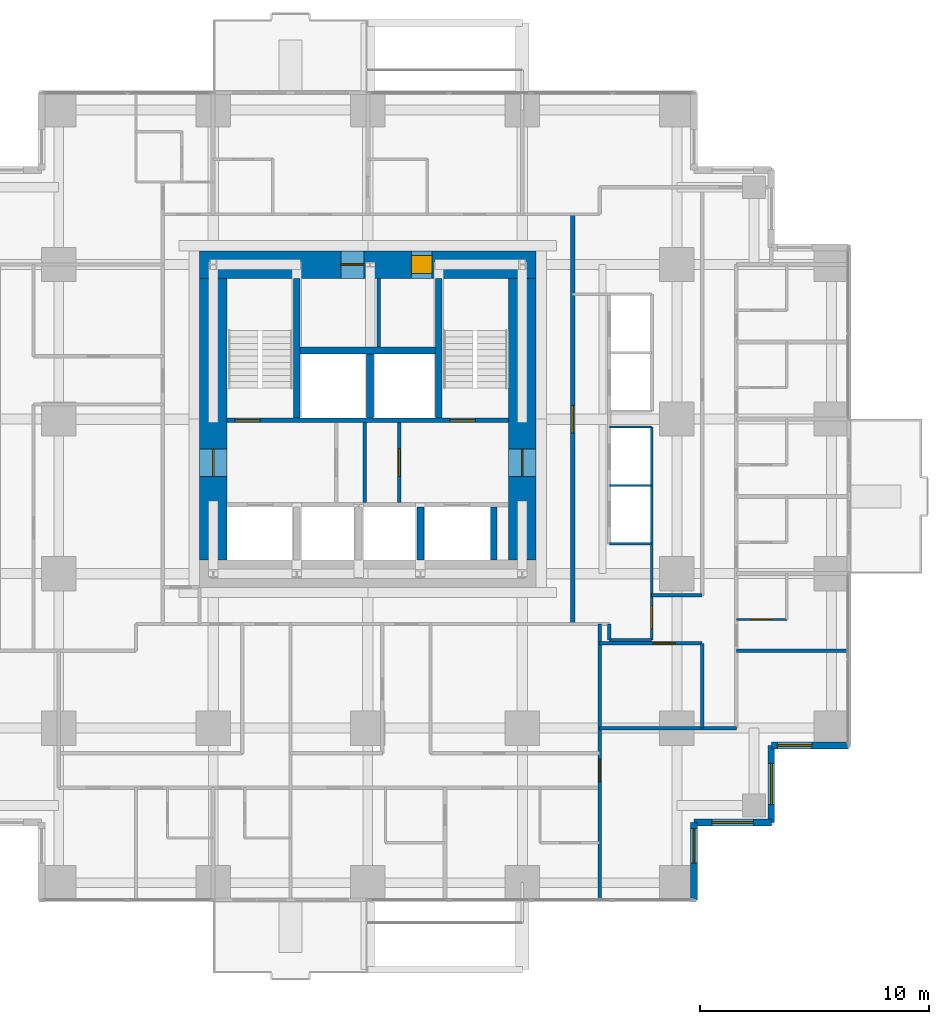
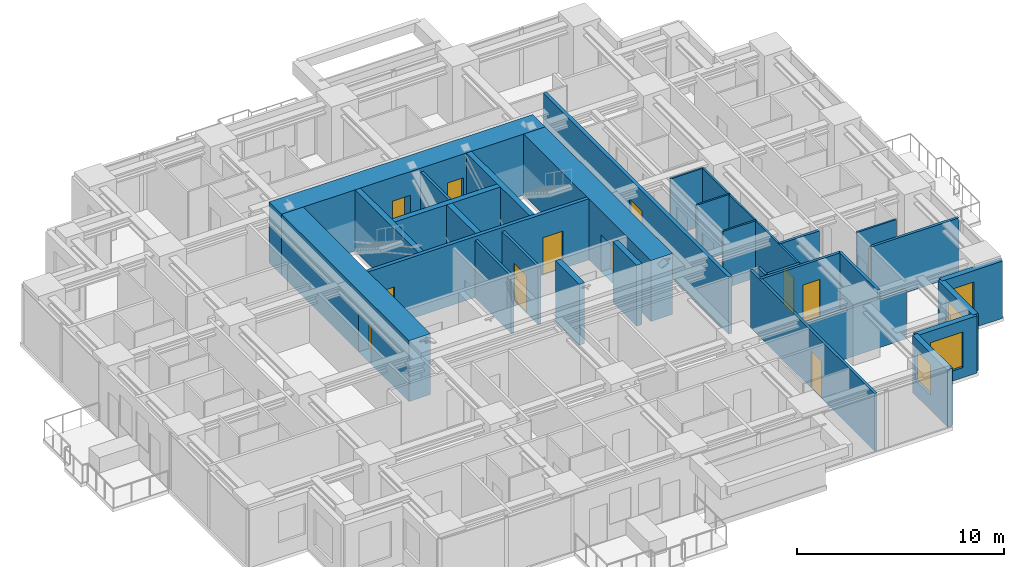
# One storey, part 9 of 13: 31 walls, 12 doors, 4 windows, 16 openings.
"""IFC4 building model written with IfcOpenShell, lengths in metres."""

import ifcopenshell
import ifcopenshell.guid

model = None  # the IFC model being written
_history = None  # IfcOwnerHistory: only IFC2X3 demands one
_inside = {}  # id of a spatial element -> (the spatial element, [elements in it])
_under = {}  # id of a project, library or spatial element -> (it, [spatial elements below it])
_declared = {}  # id of a project -> (the project, [libraries it declares])
_typed = {}  # id of a type object -> (the type object, [elements of that type])
_made_of = {}  # id of a material, layer set ... -> (it, [elements and type objects made of it])


def new_model(schema):
    """Start an empty IFC model of exactly this schema.

    Asked for "IFC4X3", IfcOpenShell would pick the latest addendum, in which some entities
    have other attributes; the version numbers below select the first issue.
    IFC2X3 requires an IfcOwnerHistory on every rooted entity: one is made here for all.
    """
    global model, _history
    if schema == "IFC4X3":
        model = ifcopenshell.file(schema_version=(4, 3, 0, 0))
    else:
        model = ifcopenshell.file(schema=schema)
    _inside.clear()
    _under.clear()
    _declared.clear()
    _typed.clear()
    _made_of.clear()
    _history = None
    if model.schema == "IFC2X3":
        org = make("IfcOrganization", Name="unknown")
        user = make(
            "IfcPersonAndOrganization",
            ThePerson=make("IfcPerson", FamilyName="unknown"),
            TheOrganization=org,
        )
        app = make(
            "IfcApplication",
            ApplicationDeveloper=org,
            Version="unknown",
            ApplicationFullName="unknown",
            ApplicationIdentifier="unknown",
        )
        _history = make(
            "IfcOwnerHistory",
            OwningUser=user,
            OwningApplication=app,
            ChangeAction="ADDED",
            CreationDate=0,
        )
    return model


def make(cls, **values):
    """One entity of the class cls with the attributes given. An attribute that is None is left unset."""
    return model.create_entity(
        cls, **{name: value for name, value in values.items() if value is not None}
    )


def rooted(cls, **values):
    """An entity with a GlobalId (a new one), such as an element, a storey or a relation."""
    return make(cls, GlobalId=ifcopenshell.guid.new(), OwnerHistory=_history, **values)


def si_unit(unit_type, name, prefix=None):
    """IfcSIUnit, for example si_unit("LENGTHUNIT", "METRE", prefix="MILLI")."""
    return make("IfcSIUnit", UnitType=unit_type, Prefix=prefix, Name=name)


def assignment(units):
    """IfcUnitAssignment: the units of a project."""
    return None if units is None else make("IfcUnitAssignment", Units=units)


def point(xyz):
    """IfcCartesianPoint."""
    return None if xyz is None else make("IfcCartesianPoint", Coordinates=xyz)


def direction(xyz):
    """IfcDirection."""
    return None if xyz is None else make("IfcDirection", DirectionRatios=xyz)


def frame(location, z_axis=None, x_axis=None):
    """IfcAxis2Placement3D, a coordinate frame: its origin and axes. An axis left out is left unset."""
    return make(
        "IfcAxis2Placement3D",
        Location=point(location),
        Axis=direction(z_axis),
        RefDirection=direction(x_axis),
    )


def frame_2d(location, x_axis=None):
    """IfcAxis2Placement2D, a coordinate frame in the plane: its origin and x axis."""
    return make(
        "IfcAxis2Placement2D", Location=point(location), RefDirection=direction(x_axis)
    )


def origin():
    """The frame at (0, 0, 0) with its axes left unset."""
    return frame((0.0, 0.0, 0.0))


def place(relative_to, where):
    """IfcLocalPlacement: puts the frame where relative to a parent placement (None: the world)."""
    return make(
        "IfcLocalPlacement", PlacementRelTo=relative_to, RelativePlacement=where
    )


def context(
    kind, dimensions, precision=None, world=None, true_north=None, identifier=None
):
    """IfcGeometricRepresentationContext, for example the 3D "Model" context."""
    return make(
        "IfcGeometricRepresentationContext",
        ContextIdentifier=identifier,
        ContextType=kind,
        CoordinateSpaceDimension=dimensions,
        Precision=precision,
        WorldCoordinateSystem=world,
        TrueNorth=true_north,
    )


def subcontext(parent, identifier, kind, view, scale=None):
    """IfcGeometricRepresentationSubContext, for example "Body" below "Model"."""
    return make(
        "IfcGeometricRepresentationSubContext",
        ContextIdentifier=identifier,
        ContextType=kind,
        ParentContext=parent,
        TargetScale=scale,
        TargetView=view,
    )


def project(units=None, contexts=None):
    """IfcProject with its units and contexts."""
    return rooted(
        "IfcProject",
        Name="project",
        RepresentationContexts=contexts,
        UnitsInContext=assignment(units),
    )


def spatial(cls, under=None, at=None, **own):
    """A site, building, storey or space (cls), placed at a placement, below another one or the project."""
    s = rooted(cls, ObjectPlacement=at, **own)
    if under is not None:
        _under.setdefault(under.id(), (under, []))[1].append(s)
    return s


def profile(cls, at=None, kind="AREA", **sizes):
    """A parametric profile (cls). Its sizes go by their IFC names, for example OverallWidth=200.0."""
    return make(cls, ProfileType=kind, Position=at, **sizes)


def rectangle(**sizes):
    """IfcRectangleProfileDef."""
    return profile("IfcRectangleProfileDef", **sizes)


def extrude(swept, where, along, depth):
    """IfcExtrudedAreaSolid: the profile swept, set in the frame where, extruded along a direction by depth."""
    return make(
        "IfcExtrudedAreaSolid",
        SweptArea=swept,
        Position=where,
        ExtrudedDirection=direction(along),
        Depth=depth,
    )


def shape(context_of_items, identifier, shape_type, items):
    """IfcShapeRepresentation: the items that make up one representation, for example the "Body"."""
    return make(
        "IfcShapeRepresentation",
        ContextOfItems=context_of_items,
        RepresentationIdentifier=identifier,
        RepresentationType=shape_type,
        Items=items,
    )


def material(Name=None, Category=None):
    """IfcMaterial."""
    return make("IfcMaterial", Name=Name, Category=Category)


def layer(
    of_material, thickness, ventilated=None, Name=None, Category=None, Priority=None
):
    """IfcMaterialLayer: one layer of a wall or slab, of a material (None: an air gap)."""
    return make(
        "IfcMaterialLayer",
        Material=of_material,
        LayerThickness=thickness,
        IsVentilated=ventilated,
        Name=Name,
        Category=Category,
        Priority=Priority,
    )


def layer_set(layers, Name=None):
    """IfcMaterialLayerSet."""
    return make("IfcMaterialLayerSet", MaterialLayers=layers, LayerSetName=Name)


def made_of(thing, what):
    """Note that an element or type object is made of a material, layer set ...; save() writes the relation."""
    if what is not None:
        _made_of.setdefault(what.id(), (what, []))[1].append(thing)
    return thing


def type_object(cls, material=None, **own):
    """A type object (cls), such as IfcWallType, which elements share."""
    return made_of(rooted(cls, **own), material)


def element(
    cls,
    number,
    at=None,
    inside=None,
    cuts=None,
    type_object=None,
    material=None,
    context=None,
    identifier="Body",
    shape_type=None,
    held_by="IfcProductDefinitionShape",
    body=None,
    shapes=None,
    **own,
):
    """One element of the class cls, such as IfcWall. Its Tag is "e" and its number.

    at: its placement. inside: the storey or other place that contains it. cuts: it is an
    opening in that element (IfcRelVoidsElement). A single representation is given by context,
    identifier, shape_type and body (its items); several are given by shapes. held_by: the class
    of the entity that holds the representations. save() writes the other relations.
    """
    e = rooted(cls, Tag="e%d" % number, ObjectPlacement=at, **own)
    if body is not None:
        shapes = [shape(context, identifier, shape_type, body)]
    if shapes is not None:
        e.Representation = make(held_by, Representations=shapes)
    if inside is not None:
        _inside.setdefault(inside.id(), (inside, []))[1].append(e)
    if cuts is not None:
        rooted(
            "IfcRelVoidsElement", RelatingBuildingElement=cuts, RelatedOpeningElement=e
        )
    if type_object is not None:
        _typed.setdefault(type_object.id(), (type_object, []))[1].append(e)
    return made_of(e, material)


def fill(opening, filler):
    """IfcRelFillsElement: the door or window that sits in an opening."""
    return rooted(
        "IfcRelFillsElement",
        RelatingOpeningElement=opening,
        RelatedBuildingElement=filler,
    )


def aggregate(whole, parts):
    """IfcRelAggregates: a whole, such as a stair, and the parts it consists of."""
    return rooted("IfcRelAggregates", RelatingObject=whole, RelatedObjects=parts)


def save(model, path):
    """Write the relations noted so far, then the file.

    IfcRelAggregates (storeys below a building ...), IfcRelContainedInSpatialStructure (elements
    in a storey), IfcRelDefinesByType, IfcRelAssociatesMaterial and IfcRelDeclares: one each for
    every whole, place, type object, material and project.
    """
    for whole, parts in _under.values():
        aggregate(whole, parts)
    for where, things in _inside.values():
        rooted(
            "IfcRelContainedInSpatialStructure",
            RelatedElements=things,
            RelatingStructure=where,
        )
    for kind, things in _typed.values():
        rooted("IfcRelDefinesByType", RelatedObjects=things, RelatingType=kind)
    for what, things in _made_of.values():
        rooted("IfcRelAssociatesMaterial", RelatedObjects=things, RelatingMaterial=what)
    for by, libraries in _declared.values():
        rooted("IfcRelDeclares", RelatingContext=by, RelatedDefinitions=libraries)
    model.write(path)


model = new_model("IFC4")

# Units and contexts
model_context = context("Model", 3, precision=1e-05, world=origin(), true_north=direction((0.0, 1.0)))
body_context = subcontext(model_context, "Body", "Model", "MODEL_VIEW")
ifc_project = project(units=[si_unit("LENGTHUNIT", "METRE"), si_unit("AREAUNIT", "SQUARE_METRE"), si_unit("VOLUMEUNIT", "CUBIC_METRE"), si_unit("PLANEANGLEUNIT", "RADIAN"), si_unit("MASSUNIT", "GRAM", prefix="KILO")], contexts=[model_context])

# Site, building, storey
site_placement = place(None, origin())
site = spatial("IfcSite", under=ifc_project, at=site_placement, CompositionType="ELEMENT")
building_placement = place(site_placement, origin())
building = spatial("IfcBuilding", under=site, at=building_placement, Name="Nyansa Garden Tower", CompositionType="ELEMENT")
storey_placement = place(building_placement, frame((0.0, 0.0, 130.5)))
storey = spatial("IfcBuildingStorey", under=building, at=storey_placement, Name="L35", CompositionType="ELEMENT", Elevation=130.5)

# Wall, openings, doors
ifc_material_1 = material(Name="Concrete C70/85", Category="concrete")
ifc_layer_1 = layer(ifc_material_1, 0.199951171875)
ifc_layer_set_1 = layer_set([ifc_layer_1], Name="Core inner wall CI200")
wall_type_1 = type_object("IfcWallType", Name="Core inner wall CI200", PredefinedType="SHEAR", material=ifc_layer_set_1)
wall_1_placement = place(storey_placement, frame((14.10009765625, 20.199951171875, 0.0), z_axis=(0.0, 0.0, 1.0), x_axis=(1.0, 0.0, 0.0)))
wall_1 = element("IfcWall", 1, at=wall_1_placement, inside=storey, type_object=wall_type_1, Name="Core inner wall L35", PredefinedType="SHEAR", context=body_context, shape_type="SweptSolid", body=[
    extrude(rectangle(XDim=12.2998046875, YDim=0.199951171875, at=frame_2d((6.14990234375, 0.0))), origin(), (0.0, 0.0, 1.0), 3.60009765625),
])
opening_1_placement = place(wall_1_placement, frame((0.35009765625, 0.0, 0.0)))
opening_1 = element("IfcOpeningElement", 2, at=opening_1_placement, cuts=wall_1, Name="Opening D05", PredefinedType="OPENING", context=body_context, shape_type="SweptSolid", body=[
    extrude(rectangle(XDim=1.10009765625, YDim=2.199951171875, at=frame_2d((0.550048828125, 1.10009765625))), frame((0.0, 0.10986328125, 0.0), z_axis=(0.0, -1.0, 0.0), x_axis=(1.0, 0.0, 0.0)), (0.0, 0.0, 1.0), 0.219970703125),
])
opening_2_placement = place(wall_1_placement, frame((9.75, 0.0, 0.0)))
opening_2 = element("IfcOpeningElement", 3, at=opening_2_placement, cuts=wall_1, Name="Opening D05", PredefinedType="OPENING", context=body_context, shape_type="SweptSolid", body=[
    extrude(rectangle(XDim=1.10009765625, YDim=2.199951171875, at=frame_2d((0.550048828125, 1.10009765625))), frame((0.0, 0.10986328125, 0.0), z_axis=(0.0, -1.0, 0.0), x_axis=(1.0, 0.0, 0.0)), (0.0, 0.0, 1.0), 0.219970703125),
])
ifc_material_2 = material(Name="Steel door, 120 minute fire resisting", Category="steel")
door_type_1 = type_object("IfcDoorType", Name="Stair door D05 1100x2200", OperationType="SINGLE_SWING_LEFT", PredefinedType="DOOR", material=ifc_material_2)
door_1_placement = place(opening_1_placement, origin())
door_1 = element("IfcDoor", 4, at=door_1_placement, inside=storey, type_object=door_type_1, Name="Stair S1 door", OperationType="SINGLE_SWING_LEFT", OverallHeight=2.199951171875, OverallWidth=1.10009765625, PredefinedType="DOOR", context=body_context, shape_type="SweptSolid", body=[
    extrude(rectangle(XDim=1.10009765625, YDim=2.199951171875, at=frame_2d((0.550048828125, 1.10009765625))), frame((0.0, 0.02490234375, 0.0), z_axis=(0.0, -1.0, 0.0), x_axis=(1.0, 0.0, 0.0)), (0.0, 0.0, 1.0), 0.050048828125),
])
fill(opening_1, door_1)
door_2_placement = place(opening_2_placement, origin())
door_2 = element("IfcDoor", 5, at=door_2_placement, inside=storey, type_object=door_type_1, Name="Stair S2 door", OperationType="SINGLE_SWING_LEFT", OverallHeight=2.199951171875, OverallWidth=1.10009765625, PredefinedType="DOOR", context=body_context, shape_type="SweptSolid", body=[
    extrude(rectangle(XDim=1.10009765625, YDim=2.199951171875, at=frame_2d((0.550048828125, 1.10009765625))), frame((0.0, 0.02490234375, 0.0), z_axis=(0.0, -1.0, 0.0), x_axis=(1.0, 0.0, 0.0)), (0.0, 0.0, 1.0), 0.050048828125),
])
fill(opening_2, door_2)

# Walls
ifc_material_3 = material(Name="Concrete C70/85", Category="concrete")
ifc_layer_2 = layer(ifc_material_3, 0.300048828125)
ifc_layer_set_2 = layer_set([ifc_layer_2], Name="Core inner wall CI300")
wall_type_2 = type_object("IfcWallType", Name="Core inner wall CI300", PredefinedType="SHEAR", material=ifc_layer_set_2)
for number, where, z_axis, x_axis, name in (
    (6, (17.14990234375, 20.300048828125, 0.0), (0.0, 0.0, 1.0), (0.0, 1.0, 0.0), "Core inner wall L35"),
    (7, (23.35009765625, 20.300048828125, 0.0), (0.0, 0.0, 1.0), (0.0, 1.0, 0.0), "Core inner wall L35"),
):
    element("IfcWall", number, at=place(storey_placement, frame(where, z_axis=z_axis, x_axis=x_axis)), inside=storey, type_object=wall_type_2, Name=name, PredefinedType="SHEAR", context=body_context, shape_type="SweptSolid", body=[
        extrude(rectangle(XDim=6.099853515625, YDim=0.300048828125, at=frame_2d((3.0498046875, 0.0))), origin(), (0.0, 0.0, 1.0), 3.60009765625),
    ])
wall_2_placement = place(storey_placement, frame((20.35009765625, 20.300048828125, 0.0), z_axis=(0.0, 0.0, 1.0), x_axis=(0.0, 1.0, 0.0)))
element("IfcWall", 8, at=wall_2_placement, inside=storey, type_object=wall_type_2, Name="Core inner wall L35", PredefinedType="SHEAR", context=body_context, shape_type="SweptSolid", body=[
    extrude(rectangle(XDim=2.800048828125, YDim=0.300048828125, at=frame_2d((1.39990234375, 0.0))), origin(), (0.0, 0.0, 1.0), 3.60009765625),
])
wall_3_placement = place(storey_placement, frame((17.300048828125, 23.25, 0.0), z_axis=(0.0, 0.0, 1.0), x_axis=(1.0, 0.0, 0.0)))
element("IfcWall", 9, at=wall_3_placement, inside=storey, type_object=wall_type_2, Name="Core inner wall L35", PredefinedType="SHEAR", context=body_context, shape_type="SweptSolid", body=[
    extrude(rectangle(XDim=5.89990234375, YDim=0.300048828125, at=frame_2d((2.949951171875, 0.0))), origin(), (0.0, 0.0, 1.0), 3.60009765625),
])
for number, where, z_axis, x_axis, name in (
    (10, (22.550048828125, 14.10009765625, 0.0), (0.0, 0.0, 1.0), (0.0, 1.0, 0.0), "Core inner wall L35"),
    (11, (25.75, 14.10009765625, 0.0), (0.0, 0.0, 1.0), (0.0, 1.0, 0.0), "Core inner wall L35"),
):
    element("IfcWall", number, at=place(storey_placement, frame(where, z_axis=z_axis, x_axis=x_axis)), inside=storey, type_object=wall_type_2, Name=name, PredefinedType="SHEAR", context=body_context, shape_type="SweptSolid", body=[
        extrude(rectangle(XDim=2.2998046875, YDim=0.300048828125, at=frame_2d((1.14990234375, 0.0))), origin(), (0.0, 0.0, 1.0), 3.60009765625),
    ])

# Wall, opening, door
ifc_material_4 = material(Name="Concrete C80/95", Category="concrete")
ifc_layer_3 = layer(ifc_material_4, 1.199951171875)
ifc_layer_set_3 = layer_set([ifc_layer_3], Name="Core wall CW1200")
wall_type_3 = type_object("IfcWallType", Name="Core wall CW1200", PredefinedType="SHEAR", material=ifc_layer_set_3)
wall_4_placement = place(storey_placement, frame((27.0, 14.10009765625, 0.0), z_axis=(0.0, 0.0, 1.0), x_axis=(0.0, 1.0, 0.0)))
wall_4 = element("IfcWall", 12, at=wall_4_placement, inside=storey, type_object=wall_type_3, Name="Core wall E L35", PredefinedType="SHEAR", context=body_context, shape_type="SweptSolid", body=[
    extrude(rectangle(XDim=12.2998046875, YDim=1.199951171875, at=frame_2d((6.14990234375, 0.0))), origin(), (0.0, 0.0, 1.0), 3.60009765625),
])
opening_3_placement = place(wall_4_placement, frame((3.64990234375, 0.0, 0.0)))
opening_3 = element("IfcOpeningElement", 13, at=opening_3_placement, cuts=wall_4, Name="Opening D06", PredefinedType="OPENING", context=body_context, shape_type="SweptSolid", body=[
    extrude(rectangle(XDim=1.199951171875, YDim=2.199951171875, at=frame_2d((0.60009765625, 1.10009765625))), frame((0.0, 0.60986328125, 0.0), z_axis=(0.0, -1.0, 0.0), x_axis=(1.0, 0.0, 0.0)), (0.0, 0.0, 1.0), 1.219970703125),
])
ifc_material_5 = material(Name="Steel door, 120 minute fire resisting", Category="steel")
door_type_2 = type_object("IfcDoorType", Name="Lobby door D06 1200x2200", OperationType="DOUBLE_DOOR_SINGLE_SWING", PredefinedType="DOOR", material=ifc_material_5)
door_3_placement = place(opening_3_placement, origin())
door_3 = element("IfcDoor", 14, at=door_3_placement, inside=storey, type_object=door_type_2, Name="Lift lobby door east", OperationType="DOUBLE_DOOR_SINGLE_SWING", OverallHeight=2.199951171875, OverallWidth=1.199951171875, PredefinedType="DOOR", context=body_context, shape_type="SweptSolid", body=[
    extrude(rectangle(XDim=1.199951171875, YDim=2.199951171875, at=frame_2d((0.60009765625, 1.10009765625))), frame((0.0, 0.02490234375, 0.0), z_axis=(0.0, -1.0, 0.0), x_axis=(1.0, 0.0, 0.0)), (0.0, 0.0, 1.0), 0.050048828125),
])
fill(opening_3, door_3)

# Wall, openings, doors
wall_5_placement = place(storey_placement, frame((27.60009765625, 27.0, 0.0), z_axis=(0.0, 0.0, 1.0), x_axis=(-1.0, 0.0, 0.0)))
wall_5 = element("IfcWall", 15, at=wall_5_placement, inside=storey, type_object=wall_type_3, Name="Core wall N L35", PredefinedType="SHEAR", context=body_context, shape_type="SweptSolid", body=[
    extrude(rectangle(XDim=14.7001953125, YDim=1.199951171875, at=frame_2d((7.35009765625, 0.0))), origin(), (0.0, 0.0, 1.0), 3.60009765625),
])
opening_4_placement = place(wall_5_placement, frame((4.550048828125, 0.0, 0.0)))
opening_4 = element("IfcOpeningElement", 16, at=opening_4_placement, cuts=wall_5, Name="Opening D15", PredefinedType="OPENING", context=body_context, shape_type="SweptSolid", body=[
    extrude(rectangle(XDim=0.89990234375, YDim=2.199951171875, at=frame_2d((0.449951171875, 1.10009765625))), frame((0.0, 0.60986328125, 0.0), z_axis=(0.0, -1.0, 0.0), x_axis=(1.0, 0.0, 0.0)), (0.0, 0.0, 1.0), 1.219970703125),
])
opening_5_placement = place(wall_5_placement, frame((7.52490234375, 0.0, 0.0)))
opening_5 = element("IfcOpeningElement", 17, at=opening_5_placement, cuts=wall_5, Name="Opening D07", PredefinedType="OPENING", context=body_context, shape_type="SweptSolid", body=[
    extrude(rectangle(XDim=1.0, YDim=2.199951171875, at=frame_2d((0.5, 1.10009765625))), frame((0.0, 0.60986328125, 0.0), z_axis=(0.0, -1.0, 0.0), x_axis=(1.0, 0.0, 0.0)), (0.0, 0.0, 1.0), 1.219970703125),
])
ifc_material_6 = material(Name="Timber flush door, 60 minute fire resisting, self-closing", Category="wood")
door_type_3 = type_object("IfcDoorType", Name="Core room door D15 900x2200", OperationType="SINGLE_SWING_LEFT", PredefinedType="DOOR", material=ifc_material_6)
door_4_placement = place(opening_4_placement, origin())
door_4 = element("IfcDoor", 18, at=door_4_placement, inside=storey, type_object=door_type_3, Name="Core room door", OperationType="SINGLE_SWING_LEFT", OverallHeight=2.199951171875, OverallWidth=0.89990234375, PredefinedType="DOOR", context=body_context, shape_type="SweptSolid", body=[
    extrude(rectangle(XDim=0.89990234375, YDim=2.199951171875, at=frame_2d((0.449951171875, 1.10009765625))), frame((0.0, 0.39990234375, 0.0), z_axis=(0.0, -1.0, 0.0), x_axis=(1.0, 0.0, 0.0)), (0.0, 0.0, 1.0), 0.800048828125),
])
fill(opening_4, door_4)
ifc_material_7 = material(Name="Steel door, 120 minute fire resisting", Category="steel")
door_type_4 = type_object("IfcDoorType", Name="Riser door D07 1000x2200", OperationType="SINGLE_SWING_LEFT", PredefinedType="DOOR", material=ifc_material_7)
door_5_placement = place(opening_5_placement, origin())
door_5 = element("IfcDoor", 19, at=door_5_placement, inside=storey, type_object=door_type_4, Name="Riser and refuse room door", OperationType="SINGLE_SWING_LEFT", OverallHeight=2.199951171875, OverallWidth=1.0, PredefinedType="DOOR", context=body_context, shape_type="SweptSolid", body=[
    extrude(rectangle(XDim=1.0, YDim=2.199951171875, at=frame_2d((0.5, 1.10009765625))), frame((0.0, 0.02490234375, 0.0), z_axis=(0.0, -1.0, 0.0), x_axis=(1.0, 0.0, 0.0)), (0.0, 0.0, 1.0), 0.050048828125),
])
fill(opening_5, door_5)

# Wall, opening, door
wall_6_placement = place(storey_placement, frame((13.5, 26.39990234375, 0.0), z_axis=(0.0, 0.0, 1.0), x_axis=(0.0, -1.0, 0.0)))
wall_6 = element("IfcWall", 20, at=wall_6_placement, inside=storey, type_object=wall_type_3, Name="Core wall W L35", PredefinedType="SHEAR", context=body_context, shape_type="SweptSolid", body=[
    extrude(rectangle(XDim=12.2998046875, YDim=1.199951171875, at=frame_2d((6.14990234375, 0.0))), origin(), (0.0, 0.0, 1.0), 3.60009765625),
])
opening_6_placement = place(wall_6_placement, frame((7.449951171875, 0.0, 0.0)))
opening_6 = element("IfcOpeningElement", 21, at=opening_6_placement, cuts=wall_6, Name="Opening D06", PredefinedType="OPENING", context=body_context, shape_type="SweptSolid", body=[
    extrude(rectangle(XDim=1.199951171875, YDim=2.199951171875, at=frame_2d((0.60009765625, 1.10009765625))), frame((0.0, 0.60986328125, 0.0), z_axis=(0.0, -1.0, 0.0), x_axis=(1.0, 0.0, 0.0)), (0.0, 0.0, 1.0), 1.219970703125),
])
door_6_placement = place(opening_6_placement, origin())
door_6 = element("IfcDoor", 22, at=door_6_placement, inside=storey, type_object=door_type_2, Name="Lift lobby door west", OperationType="DOUBLE_DOOR_SINGLE_SWING", OverallHeight=2.199951171875, OverallWidth=1.199951171875, PredefinedType="DOOR", context=body_context, shape_type="SweptSolid", body=[
    extrude(rectangle(XDim=1.199951171875, YDim=2.199951171875, at=frame_2d((0.60009765625, 1.10009765625))), frame((0.0, 0.02490234375, 0.0), z_axis=(0.0, -1.0, 0.0), x_axis=(1.0, 0.0, 0.0)), (0.0, 0.0, 1.0), 0.050048828125),
])
fill(opening_6, door_6)

ifc_material_8 = material(Name="Concrete blockwork, plastered, 60 minute fire resisting", Category="masonry")
ifc_layer_4 = layer(ifc_material_8, 0.199951171875)
ifc_layer_set_4 = layer_set([ifc_layer_4], Name="Corridor wall FW200")
wall_type_4 = type_object("IfcWallType", Name="Corridor wall FW200", PredefinedType="PARTITIONING", material=ifc_layer_set_4)
wall_7_placement = place(storey_placement, frame((29.199951171875, 11.300048828125, 0.0), z_axis=(0.0, 0.0, 1.0), x_axis=(0.0, 1.0, 0.0)))
wall_7 = element("IfcWall", 23, at=wall_7_placement, inside=storey, type_object=wall_type_4, Name="Corridor wall", PredefinedType="PARTITIONING", context=body_context, shape_type="SweptSolid", body=[
    extrude(rectangle(XDim=17.89990234375, YDim=0.199951171875, at=frame_2d((8.949951171875, 0.0))), origin(), (0.0, 0.0, 1.0), 3.375),
])
opening_7_placement = place(wall_7_placement, frame((8.35009765625, 0.0, 0.0)))
opening_7 = element("IfcOpeningElement", 24, at=opening_7_placement, cuts=wall_7, Name="Opening D06", PredefinedType="OPENING", context=body_context, shape_type="SweptSolid", body=[
    extrude(rectangle(XDim=1.199951171875, YDim=2.199951171875, at=frame_2d((0.60009765625, 1.10009765625))), frame((0.0, 0.10986328125, 0.0), z_axis=(0.0, -1.0, 0.0), x_axis=(1.0, 0.0, 0.0)), (0.0, 0.0, 1.0), 0.219970703125),
])
door_7_placement = place(opening_7_placement, origin())
door_7 = element("IfcDoor", 25, at=door_7_placement, inside=storey, type_object=door_type_2, Name="Low-rise lift lobby door", OperationType="DOUBLE_DOOR_SINGLE_SWING", OverallHeight=2.199951171875, OverallWidth=1.199951171875, PredefinedType="DOOR", context=body_context, shape_type="SweptSolid", body=[
    extrude(rectangle(XDim=1.199951171875, YDim=2.199951171875, at=frame_2d((0.60009765625, 1.10009765625))), frame((0.0, 0.02490234375, 0.0), z_axis=(0.0, -1.0, 0.0), x_axis=(1.0, 0.0, 0.0)), (0.0, 0.0, 1.0), 0.050048828125),
])
fill(opening_7, door_7)

# Walls
ifc_material_9 = material(Name="Steel-stud shaft wall, two layers fire-rated board, EI 120", Category="steel")
ifc_layer_5 = layer(ifc_material_9, 0.10009765625)
ifc_layer_set_5 = layer_set([ifc_layer_5], Name="Lift shaft wall SW100")
wall_type_5 = type_object("IfcWallType", Name="Lift shaft wall SW100", PredefinedType="SHEAR", material=ifc_layer_set_5)
for number, where, z_axis, x_axis, name in (
    (26, (30.800048828125, 14.800048828125, 0.0), (0.0, 0.0, 1.0), (1.0, 0.0, 0.0), "Lift shaft wall"),
    (27, (30.800048828125, 17.35009765625, 0.0), (0.0, 0.0, 1.0), (1.0, 0.0, 0.0), "Lift shaft wall"),
    (28, (30.800048828125, 19.89990234375, 0.0), (0.0, 0.0, 1.0), (1.0, 0.0, 0.0), "Lift shaft wall"),
):
    element("IfcWall", number, at=place(storey_placement, frame(where, z_axis=z_axis, x_axis=x_axis)), inside=storey, type_object=wall_type_5, Name=name, PredefinedType="SHEAR", context=body_context, shape_type="SweptSolid", body=[
        extrude(rectangle(XDim=1.849853515625, YDim=0.10009765625, at=frame_2d((0.9248046875, 0.0))), origin(), (0.0, 0.0, 1.0), 3.375),
    ])

# Wall, opening, door
wall_8_placement = place(storey_placement, frame((32.64990234375, 10.60009765625, 0.0), z_axis=(0.0, 0.0, 1.0), x_axis=(0.0, 1.0, 0.0)))
wall_8 = element("IfcWall", 29, at=wall_8_placement, inside=storey, type_object=wall_type_5, Name="Lift shaft wall", PredefinedType="SHEAR", context=body_context, shape_type="SweptSolid", body=[
    extrude(rectangle(XDim=9.2998046875, YDim=0.10009765625, at=frame_2d((4.64990234375, 0.0))), origin(), (0.0, 0.0, 1.0), 3.375),
])
opening_8_placement = place(wall_8_placement, frame((0.5, 0.0, 0.0)))
opening_8 = element("IfcOpeningElement", 30, at=opening_8_placement, cuts=wall_8, Name="Opening D03", PredefinedType="OPENING", context=body_context, shape_type="SweptSolid", body=[
    extrude(rectangle(XDim=1.0, YDim=2.199951171875, at=frame_2d((0.5, 1.10009765625))), frame((0.0, 0.06005859375, 0.0), z_axis=(0.0, -1.0, 0.0), x_axis=(1.0, 0.0, 0.0)), (0.0, 0.0, 1.0), 0.1201171875),
])
ifc_material_10 = material(Name="Timber flush door, 60 minute fire resisting", Category="wood")
door_type_5 = type_object("IfcDoorType", Name="Cluster entrance door D03 1000x2200", OperationType="SINGLE_SWING_LEFT", PredefinedType="DOOR", material=ifc_material_10)
door_8_placement = place(opening_8_placement, origin())
door_8 = element("IfcDoor", 31, at=door_8_placement, inside=storey, type_object=door_type_5, Name="Door L35-043", OperationType="SINGLE_SWING_LEFT", OverallHeight=2.199951171875, OverallWidth=1.0, PredefinedType="DOOR", context=body_context, shape_type="SweptSolid", body=[
    extrude(rectangle(XDim=1.0, YDim=2.199951171875, at=frame_2d((0.5, 1.10009765625))), frame((0.0, 0.02490234375, 0.0), z_axis=(0.0, -1.0, 0.0), x_axis=(1.0, 0.0, 0.0)), (0.0, 0.0, 1.0), 0.050048828125),
])
fill(opening_8, door_8)

ifc_material_11 = material(Name="Blockwork, plastered both sides", Category="masonry")
ifc_layer_6 = layer(ifc_material_11, 0.14990234375)
ifc_layer_set_6 = layer_set([ifc_layer_6], Name="Partition PW150")
wall_type_6 = type_object("IfcWallType", Name="Partition PW150", PredefinedType="PARTITIONING", material=ifc_layer_set_6)
wall_9_placement = place(storey_placement, frame((21.625, 16.60009765625, 0.0), z_axis=(0.0, 0.0, 1.0), x_axis=(0.0, 1.0, 0.0)))
wall_9 = element("IfcWall", 32, at=wall_9_placement, inside=storey, type_object=wall_type_6, Name="Partition", PredefinedType="PARTITIONING", context=body_context, shape_type="SweptSolid", body=[
    extrude(rectangle(XDim=3.5, YDim=0.14990234375, at=frame_2d((1.75, 0.0))), origin(), (0.0, 0.0, 1.0), 3.375),
])
opening_9_placement = place(wall_9_placement, frame((1.14990234375, 0.0, 0.0)))
opening_9 = element("IfcOpeningElement", 33, at=opening_9_placement, cuts=wall_9, Name="Opening D06", PredefinedType="OPENING", context=body_context, shape_type="SweptSolid", body=[
    extrude(rectangle(XDim=1.199951171875, YDim=2.199951171875, at=frame_2d((0.60009765625, 1.10009765625))), frame((0.0, 0.0849609375, 0.0), z_axis=(0.0, -1.0, 0.0), x_axis=(1.0, 0.0, 0.0)), (0.0, 0.0, 1.0), 0.169921875),
])
door_9_placement = place(opening_9_placement, origin())
door_9 = element("IfcDoor", 34, at=door_9_placement, inside=storey, type_object=door_type_2, Name="Passenger lift lobby door", OperationType="DOUBLE_DOOR_SINGLE_SWING", OverallHeight=2.199951171875, OverallWidth=1.199951171875, PredefinedType="DOOR", context=body_context, shape_type="SweptSolid", body=[
    extrude(rectangle(XDim=1.199951171875, YDim=2.199951171875, at=frame_2d((0.60009765625, 1.10009765625))), frame((0.0, 0.02490234375, 0.0), z_axis=(0.0, -1.0, 0.0), x_axis=(1.0, 0.0, 0.0)), (0.0, 0.0, 1.0), 0.050048828125),
])
fill(opening_9, door_9)

# Walls
wall_10_placement = place(storey_placement, frame((20.1201171875, 16.60009765625, 0.0), z_axis=(0.0, 0.0, 1.0), x_axis=(0.0, 1.0, 0.0)))
element("IfcWall", 35, at=wall_10_placement, inside=storey, type_object=wall_type_6, Name="Partition", PredefinedType="PARTITIONING", context=body_context, shape_type="SweptSolid", body=[
    extrude(rectangle(XDim=3.5, YDim=0.14990234375, at=frame_2d((1.75, 0.0))), origin(), (0.0, 0.0, 1.0), 3.375),
])
wall_11_placement = place(storey_placement, frame((20.72509765625, 23.39990234375, 0.0), z_axis=(0.0, 0.0, 1.0), x_axis=(0.0, 1.0, 0.0)))
element("IfcWall", 36, at=wall_11_placement, inside=storey, type_object=wall_type_6, Name="Partition", PredefinedType="PARTITIONING", context=body_context, shape_type="SweptSolid", body=[
    extrude(rectangle(XDim=3.0, YDim=0.14990234375, at=frame_2d((1.5, 0.0))), origin(), (0.0, 0.0, 1.0), 3.375),
])

# Wall, opening, door
wall_12_placement = place(storey_placement, frame((30.375, -0.73388671875, 0.0), z_axis=(0.0, 0.0, 1.0), x_axis=(0.0, 1.0, 0.0)))
wall_12 = element("IfcWall", 37, at=wall_12_placement, inside=storey, type_object=wall_type_6, Name="Partition", PredefinedType="PARTITIONING", context=body_context, shape_type="SweptSolid", body=[
    extrude(rectangle(XDim=12.033935546875, YDim=0.14990234375, at=frame_2d((6.01708984375, 0.0))), origin(), (0.0, 0.0, 1.0), 3.375),
])
opening_10_placement = place(wall_12_placement, frame((5.134033203125, 0.0, 0.0)))
opening_10 = element("IfcOpeningElement", 38, at=opening_10_placement, cuts=wall_12, Name="Opening D03", PredefinedType="OPENING", context=body_context, shape_type="SweptSolid", body=[
    extrude(rectangle(XDim=1.0, YDim=2.199951171875, at=frame_2d((0.5, 1.10009765625))), frame((0.0, 0.0849609375, 0.0), z_axis=(0.0, -1.0, 0.0), x_axis=(1.0, 0.0, 0.0)), (0.0, 0.0, 1.0), 0.169921875),
])
door_10_placement = place(opening_10_placement, origin())
door_10 = element("IfcDoor", 39, at=door_10_placement, inside=storey, type_object=door_type_5, Name="Door L35-032", OperationType="SINGLE_SWING_LEFT", OverallHeight=2.199951171875, OverallWidth=1.0, PredefinedType="DOOR", context=body_context, shape_type="SweptSolid", body=[
    extrude(rectangle(XDim=1.0, YDim=2.199951171875, at=frame_2d((0.5, 1.10009765625))), frame((0.0, 0.02490234375, 0.0), z_axis=(0.0, -1.0, 0.0), x_axis=(1.0, 0.0, 0.0)), (0.0, 0.0, 1.0), 0.050048828125),
])
fill(opening_10, door_10)

# Wall
wall_13_placement = place(storey_placement, frame((30.375, 6.75, 0.0), z_axis=(0.0, 0.0, 1.0), x_axis=(1.0, 0.0, 0.0)))
element("IfcWall", 40, at=wall_13_placement, inside=storey, type_object=wall_type_6, Name="Partition", PredefinedType="PARTITIONING", context=body_context, shape_type="SweptSolid", body=[
    extrude(rectangle(XDim=5.97509765625, YDim=0.14990234375, at=frame_2d((2.987548828125, 0.0))), origin(), (0.0, 0.0, 1.0), 2.876953125),
])

# Wall, opening, door
wall_14_placement = place(storey_placement, frame((30.375, 10.449951171875, 0.0), z_axis=(0.0, 0.0, 1.0), x_axis=(1.0, 0.0, 0.0)))
wall_14 = element("IfcWall", 41, at=wall_14_placement, inside=storey, type_object=wall_type_6, Name="Partition", PredefinedType="PARTITIONING", context=body_context, shape_type="SweptSolid", body=[
    extrude(rectangle(XDim=4.47509765625, YDim=0.14990234375, at=frame_2d((2.237548828125, 0.0))), origin(), (0.0, 0.0, 1.0), 3.375),
])
opening_11_placement = place(wall_14_placement, frame((2.35009765625, 0.0, 0.0)))
opening_11 = element("IfcOpeningElement", 42, at=opening_11_placement, cuts=wall_14, Name="Opening D01", PredefinedType="OPENING", context=body_context, shape_type="SweptSolid", body=[
    extrude(rectangle(XDim=0.949951171875, YDim=2.199951171875, at=frame_2d((0.47509765625, 1.10009765625))), frame((0.0, 0.0849609375, 0.0), z_axis=(0.0, -1.0, 0.0), x_axis=(1.0, 0.0, 0.0)), (0.0, 0.0, 1.0), 0.169921875),
])
ifc_material_12 = material(Name="Timber flush door, 30 minute fire resisting", Category="wood")
door_type_6 = type_object("IfcDoorType", Name="Bedroom door D01 950x2200", OperationType="SINGLE_SWING_LEFT", PredefinedType="DOOR", material=ifc_material_12)
door_11_placement = place(opening_11_placement, origin())
door_11 = element("IfcDoor", 43, at=door_11_placement, inside=storey, type_object=door_type_6, Name="Door L35-045", OperationType="SINGLE_SWING_LEFT", OverallHeight=2.199951171875, OverallWidth=0.949951171875, PredefinedType="DOOR", context=body_context, shape_type="SweptSolid", body=[
    extrude(rectangle(XDim=0.949951171875, YDim=2.199951171875, at=frame_2d((0.47509765625, 1.10009765625))), frame((0.0, 0.02490234375, 0.0), z_axis=(0.0, -1.0, 0.0), x_axis=(1.0, 0.0, 0.0)), (0.0, 0.0, 1.0), 0.050048828125),
])
fill(opening_11, door_11)

# Walls
wall_15_placement = place(storey_placement, frame((30.800048828125, 10.60009765625, 0.0), z_axis=(0.0, 0.0, 1.0), x_axis=(0.0, 1.0, 0.0)))
element("IfcWall", 44, at=wall_15_placement, inside=storey, type_object=wall_type_6, Name="Partition", PredefinedType="PARTITIONING", context=body_context, shape_type="SweptSolid", body=[
    extrude(rectangle(XDim=0.699951171875, YDim=0.14990234375, at=frame_2d((0.35009765625, 0.0))), origin(), (0.0, 0.0, 1.0), 3.375),
])
wall_16_placement = place(storey_placement, frame((30.800048828125, 10.60009765625, 0.0), z_axis=(0.0, 0.0, 1.0), x_axis=(1.0, 0.0, 0.0)))
element("IfcWall", 45, at=wall_16_placement, inside=storey, type_object=wall_type_6, Name="Partition", PredefinedType="PARTITIONING", context=body_context, shape_type="SweptSolid", body=[
    extrude(rectangle(XDim=1.849853515625, YDim=0.14990234375, at=frame_2d((0.9248046875, 0.0))), origin(), (0.0, 0.0, 1.0), 3.375),
])
wall_17_placement = place(storey_placement, frame((32.64990234375, 12.550048828125, 0.0), z_axis=(0.0, 0.0, 1.0), x_axis=(1.0, 0.0, 0.0)))
element("IfcWall", 46, at=wall_17_placement, inside=storey, type_object=wall_type_6, Name="Partition", PredefinedType="PARTITIONING", context=body_context, shape_type="SweptSolid", body=[
    extrude(rectangle(XDim=2.2001953125, YDim=0.14990234375, at=frame_2d((1.10009765625, 0.0))), origin(), (0.0, 0.0, 1.0), 3.375),
])
wall_18_placement = place(storey_placement, frame((34.85009765625, 6.75, 0.0), z_axis=(0.0, 0.0, 1.0), x_axis=(0.0, 1.0, 0.0)))
element("IfcWall", 47, at=wall_18_placement, inside=storey, type_object=wall_type_6, Name="Partition", PredefinedType="PARTITIONING", context=body_context, shape_type="SweptSolid", body=[
    extrude(rectangle(XDim=3.699951171875, YDim=0.14990234375, at=frame_2d((1.85009765625, 0.0))), origin(), (0.0, 0.0, 1.0), 3.375),
])
wall_19_placement = place(storey_placement, frame((36.35009765625, 10.125, 0.0), z_axis=(0.0, 0.0, 1.0), x_axis=(1.0, 0.0, 0.0)))
element("IfcWall", 48, at=wall_19_placement, inside=storey, type_object=wall_type_6, Name="Partition", PredefinedType="PARTITIONING", context=body_context, shape_type="SweptSolid", body=[
    extrude(rectangle(XDim=4.8837890625, YDim=0.14990234375, at=frame_2d((2.44189453125, 0.0))), origin(), (0.0, 0.0, 1.0), 3.375),
])

# Wall, opening, window
ifc_material_13 = material(Name="Turquoise glazed tile on concrete blockwork", Category="masonry")
ifc_layer_7 = layer(ifc_material_13, 0.300048828125)
ifc_layer_set_7 = layer_set([ifc_layer_7], Name="Tiled corner wall TW300")
wall_type_7 = type_object("IfcWallType", Name="Tiled corner wall TW300", PredefinedType="SOLIDWALL", material=ifc_layer_set_7)
wall_20_placement = place(storey_placement, frame((34.5, -0.75, 0.0), z_axis=(0.0, 0.0, 1.0), x_axis=(0.0, 1.0, 0.0)))
wall_20 = element("IfcWall", 49, at=wall_20_placement, inside=storey, type_object=wall_type_7, Name="Tiled corner wall L35", PredefinedType="SOLIDWALL", context=body_context, shape_type="SweptSolid", body=[
    extrude(rectangle(XDim=3.375, YDim=0.300048828125, at=frame_2d((1.6875, 0.0))), origin(), (0.0, 0.0, 1.0), 3.375),
])
opening_12_placement = place(wall_20_placement, frame((1.607421875, 0.0, 0.89990234375)))
opening_12 = element("IfcOpeningElement", 50, at=opening_12_placement, cuts=wall_20, Name="Opening W1", PredefinedType="OPENING", context=body_context, shape_type="SweptSolid", body=[
    extrude(rectangle(XDim=1.5, YDim=1.800048828125, at=frame_2d((0.75, 0.89990234375))), frame((0.0, 0.159912109375, 0.0), z_axis=(0.0, -1.0, 0.0), x_axis=(1.0, 0.0, 0.0)), (0.0, 0.0, 1.0), 0.320068359375),
])
ifc_material_14 = material(Name="Black aluminium frame, dark tinted double glazing", Category="aluminium")
window_type_1 = type_object("IfcWindowType", Name="Window W1 1500x1800", PartitioningType="SINGLE_PANEL", PredefinedType="WINDOW", material=ifc_material_14)
window_1_placement = place(opening_12_placement, origin())
window_1 = element("IfcWindow", 51, at=window_1_placement, inside=storey, type_object=window_type_1, Name="Corner window L35", OverallHeight=1.800048828125, OverallWidth=1.5, PartitioningType="SINGLE_PANEL", PredefinedType="WINDOW", context=body_context, shape_type="SweptSolid", body=[
    extrude(rectangle(XDim=1.5, YDim=1.800048828125, at=frame_2d((0.75, 0.89990234375))), frame((0.0, 0.030029296875, 0.0), z_axis=(0.0, -1.0, 0.0), x_axis=(1.0, 0.0, 0.0)), (0.0, 0.0, 1.0), 0.06005859375),
])
fill(opening_12, window_1)

wall_21_placement = place(storey_placement, frame((34.5, 2.625, 0.0), z_axis=(0.0, 0.0, 1.0), x_axis=(1.0, 0.0, 0.0)))
wall_21 = element("IfcWall", 52, at=wall_21_placement, inside=storey, type_object=wall_type_7, Name="Tiled corner wall L35", PredefinedType="SOLIDWALL", context=body_context, shape_type="SweptSolid", body=[
    extrude(rectangle(XDim=3.375, YDim=0.300048828125, at=frame_2d((1.6875, 0.0))), origin(), (0.0, 0.0, 1.0), 3.375),
])
opening_13_placement = place(wall_21_placement, frame((0.78759765625, 0.0, 0.60009765625)))
opening_13 = element("IfcOpeningElement", 53, at=opening_13_placement, cuts=wall_21, Name="Opening W2", PredefinedType="OPENING", context=body_context, shape_type="SweptSolid", body=[
    extrude(rectangle(XDim=1.800048828125, YDim=2.10009765625, at=frame_2d((0.89990234375, 1.050048828125))), frame((0.0, 0.159912109375, 0.0), z_axis=(0.0, -1.0, 0.0), x_axis=(1.0, 0.0, 0.0)), (0.0, 0.0, 1.0), 0.320068359375),
])
ifc_material_15 = material(Name="Black aluminium frame, dark tinted double glazing", Category="aluminium")
window_type_2 = type_object("IfcWindowType", Name="Window W2 1800x2100", PartitioningType="SINGLE_PANEL", PredefinedType="WINDOW", material=ifc_material_15)
window_2_placement = place(opening_13_placement, origin())
window_2 = element("IfcWindow", 54, at=window_2_placement, inside=storey, type_object=window_type_2, Name="Corner window L35", OverallHeight=2.10009765625, OverallWidth=1.800048828125, PartitioningType="SINGLE_PANEL", PredefinedType="WINDOW", context=body_context, shape_type="SweptSolid", body=[
    extrude(rectangle(XDim=1.800048828125, YDim=2.10009765625, at=frame_2d((0.89990234375, 1.050048828125))), frame((0.0, 0.030029296875, 0.0), z_axis=(0.0, -1.0, 0.0), x_axis=(1.0, 0.0, 0.0)), (0.0, 0.0, 1.0), 0.06005859375),
])
fill(opening_13, window_2)

wall_22_placement = place(storey_placement, frame((37.875, 2.625, 0.0), z_axis=(0.0, 0.0, 1.0), x_axis=(0.0, 1.0, 0.0)))
wall_22 = element("IfcWall", 55, at=wall_22_placement, inside=storey, type_object=wall_type_7, Name="Tiled corner wall L35", PredefinedType="SOLIDWALL", context=body_context, shape_type="SweptSolid", body=[
    extrude(rectangle(XDim=3.375, YDim=0.300048828125, at=frame_2d((1.6875, 0.0))), origin(), (0.0, 0.0, 1.0), 3.375),
])
opening_14_placement = place(wall_22_placement, frame((0.78759765625, 0.0, 0.60009765625)))
opening_14 = element("IfcOpeningElement", 56, at=opening_14_placement, cuts=wall_22, Name="Opening W2", PredefinedType="OPENING", context=body_context, shape_type="SweptSolid", body=[
    extrude(rectangle(XDim=1.800048828125, YDim=2.10009765625, at=frame_2d((0.89990234375, 1.050048828125))), frame((0.0, 0.159912109375, 0.0), z_axis=(0.0, -1.0, 0.0), x_axis=(1.0, 0.0, 0.0)), (0.0, 0.0, 1.0), 0.320068359375),
])
window_3_placement = place(opening_14_placement, origin())
window_3 = element("IfcWindow", 57, at=window_3_placement, inside=storey, type_object=window_type_2, Name="Corner window L35", OverallHeight=2.10009765625, OverallWidth=1.800048828125, PartitioningType="SINGLE_PANEL", PredefinedType="WINDOW", context=body_context, shape_type="SweptSolid", body=[
    extrude(rectangle(XDim=1.800048828125, YDim=2.10009765625, at=frame_2d((0.89990234375, 1.050048828125))), frame((0.0, 0.030029296875, 0.0), z_axis=(0.0, -1.0, 0.0), x_axis=(1.0, 0.0, 0.0)), (0.0, 0.0, 1.0), 0.06005859375),
])
fill(opening_14, window_3)

wall_23_placement = place(storey_placement, frame((37.875, 6.0, 0.0), z_axis=(0.0, 0.0, 1.0), x_axis=(1.0, 0.0, 0.0)))
wall_23 = element("IfcWall", 58, at=wall_23_placement, inside=storey, type_object=wall_type_7, Name="Tiled corner wall L35", PredefinedType="SOLIDWALL", context=body_context, shape_type="SweptSolid", body=[
    extrude(rectangle(XDim=3.375, YDim=0.300048828125, at=frame_2d((1.6875, 0.0))), origin(), (0.0, 0.0, 1.0), 3.375),
])
opening_15_placement = place(wall_23_placement, frame((0.267578125, 0.0, 0.89990234375)))
opening_15 = element("IfcOpeningElement", 59, at=opening_15_placement, cuts=wall_23, Name="Opening W1", PredefinedType="OPENING", context=body_context, shape_type="SweptSolid", body=[
    extrude(rectangle(XDim=1.5, YDim=1.800048828125, at=frame_2d((0.75, 0.89990234375))), frame((0.0, 0.159912109375, 0.0), z_axis=(0.0, -1.0, 0.0), x_axis=(1.0, 0.0, 0.0)), (0.0, 0.0, 1.0), 0.320068359375),
])
window_4_placement = place(opening_15_placement, origin())
window_4 = element("IfcWindow", 60, at=window_4_placement, inside=storey, type_object=window_type_1, Name="Corner window L35", OverallHeight=1.800048828125, OverallWidth=1.5, PartitioningType="SINGLE_PANEL", PredefinedType="WINDOW", context=body_context, shape_type="SweptSolid", body=[
    extrude(rectangle(XDim=1.5, YDim=1.800048828125, at=frame_2d((0.75, 0.89990234375))), frame((0.0, 0.030029296875, 0.0), z_axis=(0.0, -1.0, 0.0), x_axis=(1.0, 0.0, 0.0)), (0.0, 0.0, 1.0), 0.06005859375),
])
fill(opening_15, window_4)

# Wall, opening, door
ifc_material_16 = material(Name="Moisture resistant board on steel studs, tiled", Category="steel")
ifc_layer_8 = layer(ifc_material_16, 0.10009765625)
ifc_layer_set_8 = layer_set([ifc_layer_8], Name="Wet wall PW100")
wall_type_8 = type_object("IfcWallType", Name="Wet wall PW100", PredefinedType="PARTITIONING", material=ifc_layer_set_8)
wall_24_placement = place(storey_placement, frame((36.35009765625, 11.5, 0.0), z_axis=(0.0, 0.0, 1.0), x_axis=(1.0, 0.0, 0.0)))
wall_24 = element("IfcWall", 61, at=wall_24_placement, inside=storey, type_object=wall_type_8, Name="Wet wall", PredefinedType="PARTITIONING", context=body_context, shape_type="SweptSolid", body=[
    extrude(rectangle(XDim=2.199951171875, YDim=0.10009765625, at=frame_2d((1.10009765625, 0.0))), origin(), (0.0, 0.0, 1.0), 3.375),
])
opening_16_placement = place(wall_24_placement, frame((0.64990234375, 0.0, 0.0)))
opening_16 = element("IfcOpeningElement", 62, at=opening_16_placement, cuts=wall_24, Name="Opening D02", PredefinedType="OPENING", context=body_context, shape_type="SweptSolid", body=[
    extrude(rectangle(XDim=0.89990234375, YDim=2.199951171875, at=frame_2d((0.449951171875, 1.10009765625))), frame((0.0, 0.06005859375, 0.0), z_axis=(0.0, -1.0, 0.0), x_axis=(1.0, 0.0, 0.0)), (0.0, 0.0, 1.0), 0.1201171875),
])
ifc_material_17 = material(Name="Timber flush door", Category="wood")
door_type_7 = type_object("IfcDoorType", Name="En-suite door D02 900x2200", OperationType="SINGLE_SWING_RIGHT", PredefinedType="DOOR", material=ifc_material_17)
door_12_placement = place(opening_16_placement, origin())
door_12 = element("IfcDoor", 63, at=door_12_placement, inside=storey, type_object=door_type_7, Name="Door L35-034", OperationType="SINGLE_SWING_RIGHT", OverallHeight=2.199951171875, OverallWidth=0.89990234375, PredefinedType="DOOR", context=body_context, shape_type="SweptSolid", body=[
    extrude(rectangle(XDim=0.89990234375, YDim=2.199951171875, at=frame_2d((0.449951171875, 1.10009765625))), frame((0.0, 0.02490234375, 0.0), z_axis=(0.0, -1.0, 0.0), x_axis=(1.0, 0.0, 0.0)), (0.0, 0.0, 1.0), 0.050048828125),
])
fill(opening_16, door_12)

save(model, "model.ifc")
